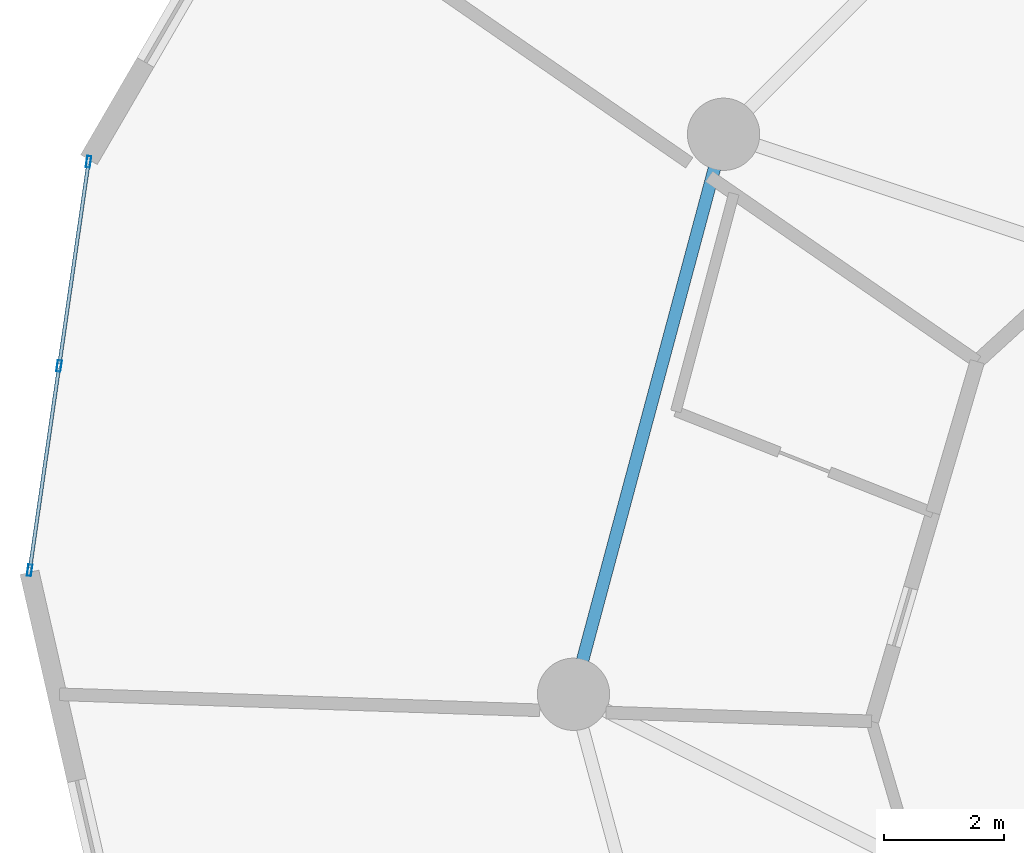
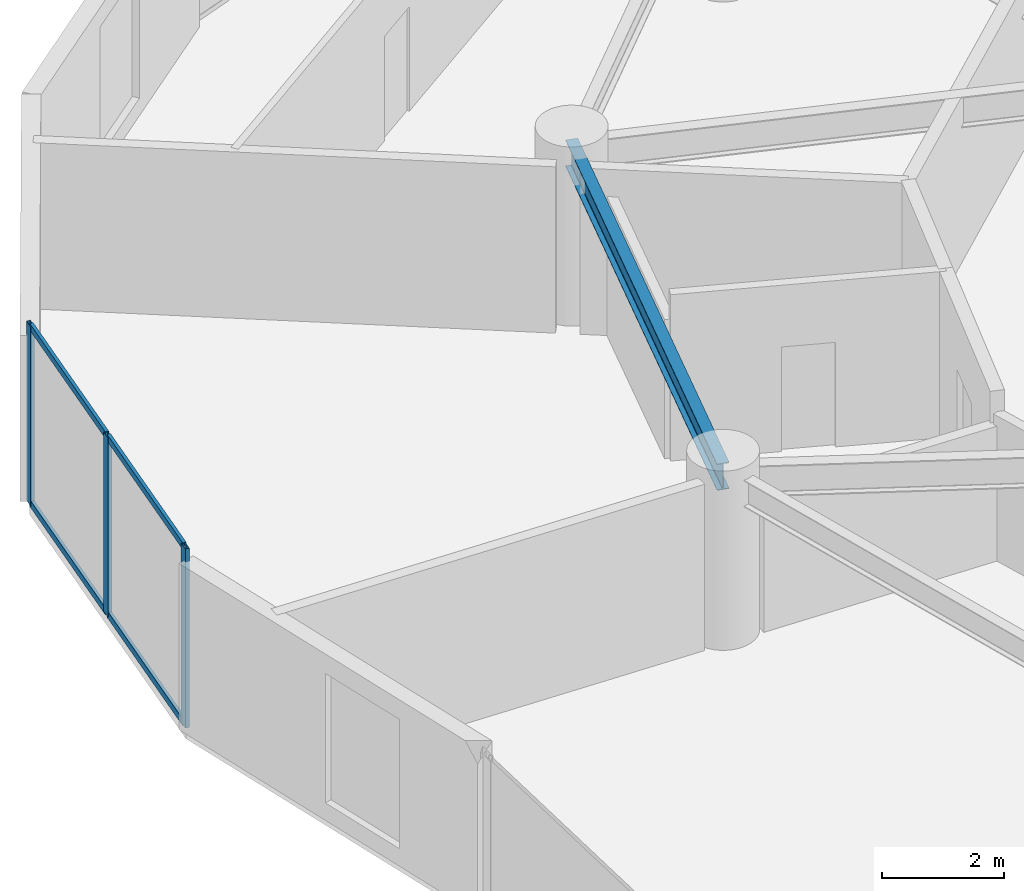
# One storey, part 8 of 26: 7 members, 1 beam, 1 element without a shape of its own.
"""IFC4 building model written with IfcOpenShell, lengths in metres."""

from ifc_helpers import new_model, si_unit, direction, frame, origin, origin_2d, place, context, subcontext, project, spatial, hollow_rectangle, i_section, extrude, source, transform, mapped, material, layer, layer_set, material_profile, profile_set, type_object, element, aggregate, save


model = new_model("IFC4")

# Units and contexts
model_context = context("Model", 3, precision=1e-05, world=origin(), true_north=direction((0.0, 1.0)))
body_context = subcontext(model_context, "Body", "Model", "MODEL_VIEW")
ifc_project = project(units=[si_unit("LENGTHUNIT", "METRE"), si_unit("AREAUNIT", "SQUARE_METRE"), si_unit("VOLUMEUNIT", "CUBIC_METRE"), si_unit("PLANEANGLEUNIT", "RADIAN"), si_unit("MASSUNIT", "GRAM", prefix="KILO")], contexts=[model_context])

# Site, building, storey
site_placement = place(None, origin())
site = spatial("IfcSite", under=ifc_project, at=site_placement, CompositionType="ELEMENT")
building_placement = place(site_placement, origin())
building = spatial("IfcBuilding", under=site, at=building_placement, Name="Solvirekh Grand Hotel", CompositionType="ELEMENT")
storey_placement = place(building_placement, frame((0.0, 0.0, 71.60009765625)))
storey = spatial("IfcBuildingStorey", under=building, at=storey_placement, Name="L17", CompositionType="ELEMENT", Elevation=71.60009765625)

# Beam
ifc_material_1 = material(Name="Steel S355", Category="steel")
ifc_material_profile_1 = material_profile(ifc_material_1, i_section(OverallWidth=0.208984375, OverallDepth=0.532958984375, WebThickness=0.010009765625, FlangeThickness=0.014892578125, FilletRadius=0.013916015625, at=origin_2d()), Name="W530X92")
ifc_profile_set_1 = profile_set([ifc_material_profile_1], Name="Steel S355")
beam_type = type_object("IfcBeamType", Name="Spandrel_Ring_W530", PredefinedType="SPANDREL", material=ifc_profile_set_1)
beam_placement = place(storey_placement, frame((-16.10791015625, 9.300048828125, 3.073974609375), z_axis=(-0.258842973314, -0.965919414426, 0.0), x_axis=(0.965919414426, -0.258842973314, 0.0)))
element("IfcBeam", 1, at=beam_placement, inside=storey, type_object=beam_type, Name="L17 perimeter spandrel beam 6", PredefinedType="SPANDREL", context=body_context, shape_type="SweptSolid", body=[
    extrude(i_section(OverallWidth=0.208984375, OverallDepth=0.532958984375, WebThickness=0.010009765625, FlangeThickness=0.014892578125, FilletRadius=0.013916015625, at=origin_2d()), origin(), (0.0, 0.0, 1.0), 9.628173828125),
])

# Curtain wall, members
ifc_material_2 = material(Name="Anodized Bronze Aluminium 6063-T6", Category="aluminium")
ifc_layer = layer(ifc_material_2, 0.18994140625)
ifc_layer_set = layer_set([ifc_layer], Name="Anodized Bronze Aluminium 6063-T6")
curtain_wall_type = type_object("IfcCurtainWallType", Name="CW_Sys2_LowZoneFlushBronzeCW", PredefinedType="NOTDEFINED", material=ifc_layer_set)
curtain_wall_placement = place(storey_placement, origin())
curtain_wall = element("IfcCurtainWall", 2, at=curtain_wall_placement, inside=storey, type_object=curtain_wall_type, Name="L17 unitised bronze-glass curtain wall CW-L17-C11", PredefinedType="NOTDEFINED")
ifc_material_profile_2 = material_profile(ifc_material_2, hollow_rectangle(XDim=0.06005859375, YDim=0.135009765625, WallThickness=0.00390625, at=origin_2d()), Name="ALU RHS 135X60X4")
ifc_profile_set_2 = profile_set([ifc_material_profile_2], Name="Anodized Bronze Aluminium 6063-T6")
member_type_1 = type_object("IfcMemberType", Name="CWTransom_Sys2", PredefinedType="USERDEFINED", material=ifc_profile_set_2)
shared_shape_1 = source(origin(), body_context, "Body", "SweptSolid", [
    extrude(hollow_rectangle(XDim=0.06005859375, YDim=0.135009765625, WallThickness=0.00390625, at=origin_2d()), origin(), (0.0, 0.0, 1.0), 3.357421875),
])
member_1_placement = place(storey_placement, frame((-27.14697265625, 5.417236328125, 0.02978515625), z_axis=(-0.142673453531, -0.989769814481, 0.0), x_axis=(0.989769814481, -0.142673453531, 0.0)))
member_1 = element("IfcMember", 3, at=member_1_placement, type_object=member_type_1, Name="U02 transom 2.1", ObjectType="TRANSOM", PredefinedType="USERDEFINED", context=body_context, shape_type="MappedRepresentation", body=[
    mapped(shared_shape_1, transform((0.0, 0.0, 0.0), x_axis=(1.0, 0.0, 0.0), y_axis=(0.0, 1.0, 0.0), z_axis=(0.0, 0.0, 1.0), scale=1.0)),
])
member_2_placement = place(storey_placement, frame((-27.14697265625, 5.417236328125, 3.56982421875), z_axis=(-0.142673453531, -0.989769814481, 0.0), x_axis=(0.989769814481, -0.142673453531, 0.0)))
member_2 = element("IfcMember", 4, at=member_2_placement, type_object=member_type_1, Name="U02 transom 2.2", ObjectType="TRANSOM", PredefinedType="USERDEFINED", context=body_context, shape_type="MappedRepresentation", body=[
    mapped(shared_shape_1, transform((0.0, 0.0, 0.0), x_axis=(1.0, 0.0, 0.0), y_axis=(0.0, 1.0, 0.0), z_axis=(0.0, 0.0, 1.0), scale=1.0)),
])
shared_shape_2 = source(origin(), body_context, "Body", "SweptSolid", [
    extrude(hollow_rectangle(XDim=0.06005859375, YDim=0.135009765625, WallThickness=0.00390625, at=origin_2d()), origin(), (0.0, 0.0, 1.0), 3.357666015625),
])
member_3_placement = place(storey_placement, frame((-26.657958984375, 8.809814453125, 0.02978515625), z_axis=(-0.142663185419, -0.989771294556, 0.0), x_axis=(0.989771294556, -0.142663185419, 0.0)))
member_3 = element("IfcMember", 5, at=member_3_placement, type_object=member_type_1, Name="U02 transom 1.1", ObjectType="TRANSOM", PredefinedType="USERDEFINED", context=body_context, shape_type="MappedRepresentation", body=[
    mapped(shared_shape_2, transform((0.0, 0.0, 0.0), x_axis=(1.0, 0.0, 0.0), y_axis=(0.0, 1.0, 0.0), z_axis=(0.0, 0.0, 1.0), scale=1.0)),
])
member_4_placement = place(storey_placement, frame((-26.657958984375, 8.809814453125, 3.56982421875), z_axis=(-0.142663185419, -0.989771294556, 0.0), x_axis=(0.989771294556, -0.142663185419, 0.0)))
member_4 = element("IfcMember", 6, at=member_4_placement, type_object=member_type_1, Name="U02 transom 1.2", ObjectType="TRANSOM", PredefinedType="USERDEFINED", context=body_context, shape_type="MappedRepresentation", body=[
    mapped(shared_shape_2, transform((0.0, 0.0, 0.0), x_axis=(1.0, 0.0, 0.0), y_axis=(0.0, 1.0, 0.0), z_axis=(0.0, 0.0, 1.0), scale=1.0)),
])
ifc_material_profile_3 = material_profile(ifc_material_2, hollow_rectangle(XDim=0.070068359375, YDim=0.18994140625, WallThickness=0.0048828125, at=origin_2d()), Name="ALU RHS 190X70X5")
ifc_profile_set_3 = profile_set([ifc_material_profile_3], Name="Anodized Bronze Aluminium 6063-T6")
member_type_2 = type_object("IfcMemberType", Name="CWMullion_Sys2", PredefinedType="MULLION", material=ifc_profile_set_3)
shared_shape_3 = source(origin(), body_context, "Body", "SweptSolid", [
    extrude(hollow_rectangle(XDim=0.070068359375, YDim=0.18994140625, WallThickness=0.0048828125, at=origin_2d()), origin(), (0.0, 0.0, 1.0), 3.599853515625),
])
member_5_placement = place(storey_placement, frame((-26.653076171875, 8.84423828125, 0.0), z_axis=(0.0, 0.0, 1.0), x_axis=(0.989769634692, -0.142674700774, 0.0)))
member_5 = element("IfcMember", 7, at=member_5_placement, type_object=member_type_2, Name="U02 mullion 1", PredefinedType="MULLION", context=body_context, shape_type="MappedRepresentation", body=[
    mapped(shared_shape_3, transform((0.0, 0.0, 0.0), x_axis=(1.0, 0.0, 0.0), y_axis=(0.0, 1.0, 0.0), z_axis=(0.0, 0.0, 1.0), scale=1.0)),
])
member_6_placement = place(storey_placement, frame((-27.14208984375, 5.451904296875, 0.0), z_axis=(0.0, 0.0, 1.0), x_axis=(0.989769634692, -0.142674700774, 0.0)))
member_6 = element("IfcMember", 8, at=member_6_placement, type_object=member_type_2, Name="U02 mullion 2", PredefinedType="MULLION", context=body_context, shape_type="MappedRepresentation", body=[
    mapped(shared_shape_3, transform((0.0, 0.0, 0.0), x_axis=(1.0, 0.0, 0.0), y_axis=(0.0, 1.0, 0.0), z_axis=(0.0, 0.0, 1.0), scale=1.0)),
])
member_7_placement = place(storey_placement, frame((-27.631103515625, 2.0595703125, 0.0), z_axis=(0.0, 0.0, 1.0), x_axis=(0.989769634692, -0.142674700774, 0.0)))
member_7 = element("IfcMember", 9, at=member_7_placement, type_object=member_type_2, Name="U02 mullion 3", PredefinedType="MULLION", context=body_context, shape_type="MappedRepresentation", body=[
    mapped(shared_shape_3, transform((0.0, 0.0, 0.0), x_axis=(1.0, 0.0, 0.0), y_axis=(0.0, 1.0, 0.0), z_axis=(0.0, 0.0, 1.0), scale=1.0)),
])
aggregate(curtain_wall, [member_5, member_6, member_7, member_3, member_4, member_1, member_2])

save(model, "model.ifc")
